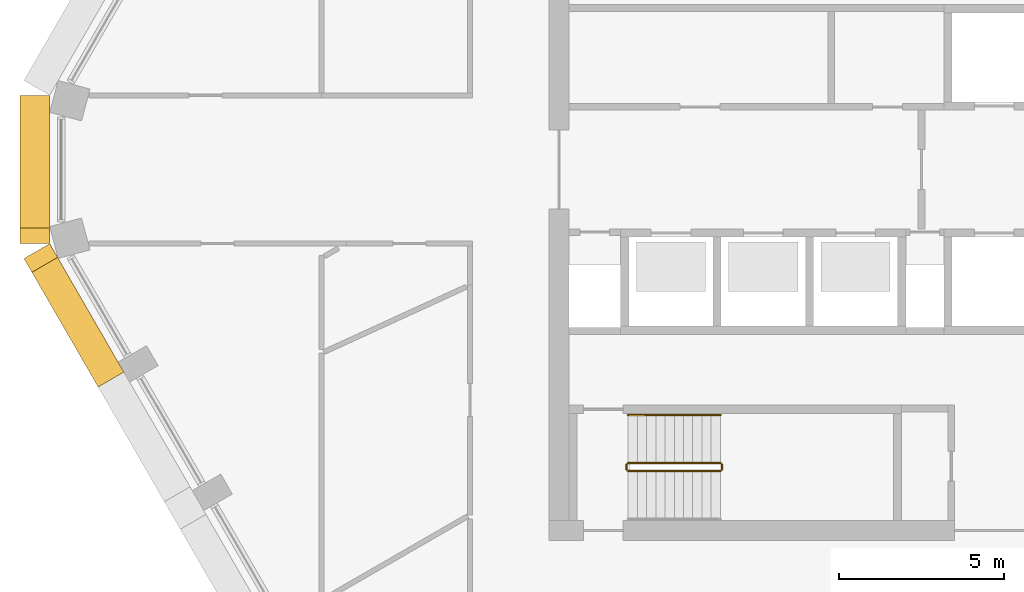
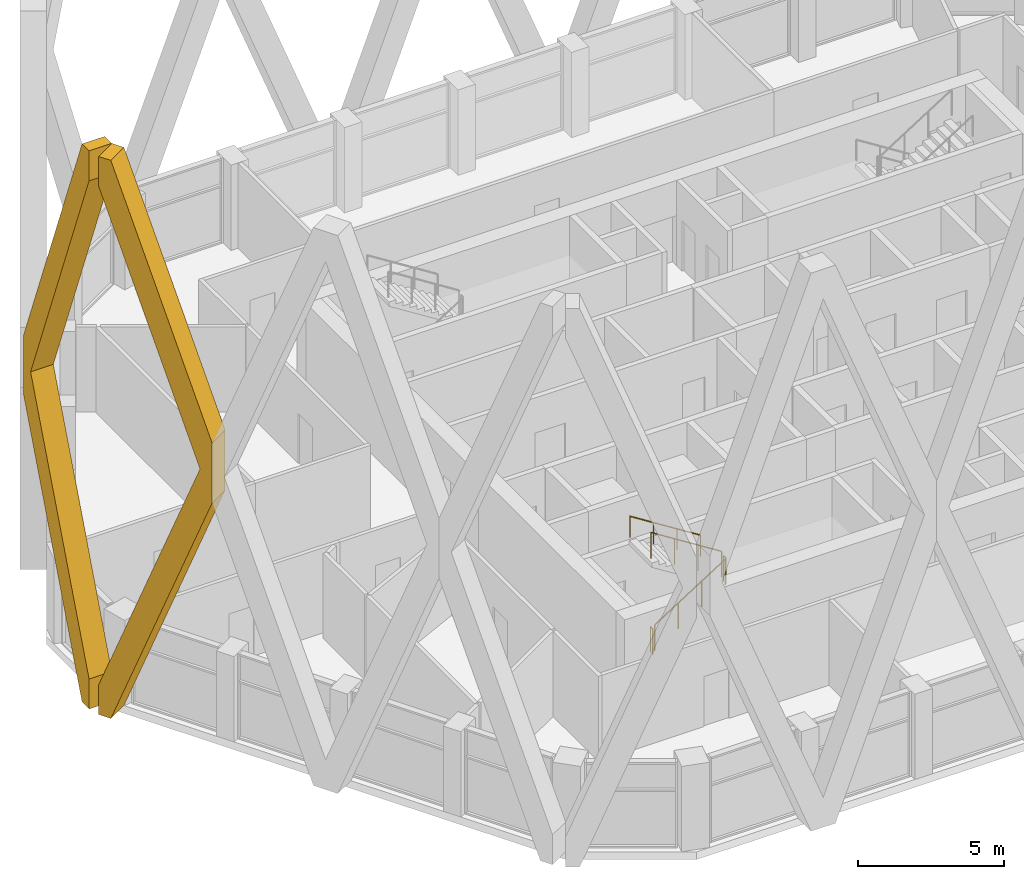
# One storey, part 14 of 20: 5 railings, 2 coverings.
"""IFC4 building model written with IfcOpenShell, lengths in metres."""

from ifc_helpers import new_model, si_unit, direction, frame, origin, origin_2d, place, context, subcontext, project, spatial, polyline, circle, outline, extrude, material, type_object, element, save


model = new_model("IFC4")

# Units and contexts
model_context = context("Model", 3, precision=1e-05, world=origin(), true_north=direction((0.0, 1.0)))
body_context = subcontext(model_context, "Body", "Model", "MODEL_VIEW")
ifc_project = project(units=[si_unit("LENGTHUNIT", "METRE"), si_unit("AREAUNIT", "SQUARE_METRE"), si_unit("VOLUMEUNIT", "CUBIC_METRE"), si_unit("PLANEANGLEUNIT", "RADIAN"), si_unit("MASSUNIT", "GRAM", prefix="KILO")], contexts=[model_context])

# Site, building, storey
site_placement = place(None, origin())
site = spatial("IfcSite", under=ifc_project, at=site_placement, CompositionType="ELEMENT")
building_placement = place(site_placement, origin())
building = spatial("IfcBuilding", under=site, at=building_placement, Name="Dhurran Vertical Campus", CompositionType="ELEMENT")
storey_placement = place(building_placement, frame((0.0, 0.0, 235.199951171875)))
storey = spatial("IfcBuildingStorey", under=building, at=storey_placement, Name="L58", CompositionType="ELEMENT", Elevation=235.199951171875)

# Coverings
ifc_material_1 = material(Name="Precast concrete C50/60", Category="concrete")
covering_type = type_object("IfcCoveringType", Name="Folded precast fin lattice diamond", PredefinedType="USERDEFINED", material=ifc_material_1)
covering_1_placement = place(storey_placement, frame((-28.647216796875, 2.25, 0.0), z_axis=(-1.0, 0.0, 0.0), x_axis=(0.0, -1.0, 0.0)))
element("IfcCovering", 1, at=covering_1_placement, inside=storey, type_object=covering_type, Name="FN1 L58.020", ObjectType="FIN", PredefinedType="USERDEFINED", context=body_context, shape_type="SweptSolid", body=[
    extrude(outline(polyline([(4.017822265625, 0.0), (0.0, 10.4462890625), (0.0, 12.95361328125), (4.017822265625, 23.39990234375), (4.5, 23.39990234375), (4.5, 22.146484375), (0.482177734375, 11.699951171875), (4.5, 1.253662109375), (4.5, 0.0), (4.017822265625, 0.0)])), origin(), (0.0, 0.0, 1.0), 0.89990234375),
])
covering_2_placement = place(storey_placement, frame((-28.647216796875, -2.25, 0.0), z_axis=(-0.866013897511, -0.50001992892, 0.0), x_axis=(0.50001992892, -0.866013897511, 0.0)))
element("IfcCovering", 2, at=covering_2_placement, inside=storey, type_object=covering_type, Name="FN1 L58.021", ObjectType="FIN", PredefinedType="USERDEFINED", context=body_context, shape_type="SweptSolid", body=[
    extrude(outline(polyline([(4.5, 10.4462890625), (0.482177734375, 0.0), (0.0, 0.0), (0.0, 1.253662109375), (4.017822265625, 11.699951171875), (0.0, 22.146484375), (0.0, 23.39990234375), (0.482177734375, 23.39990234375), (4.5, 12.95361328125), (4.5, 10.4462890625)])), origin(), (0.0, 0.0, 1.0), 0.89990234375),
])

# Railings
ifc_material_2 = material(Name="Stainless steel balustrade", Category="steel")
railing_type_1 = type_object("IfcRailingType", Name="co-RL-GUARD-1100", PredefinedType="GUARDRAIL", material=ifc_material_2)
railing_1_placement = place(storey_placement, frame((-11.10009765625, -9.14990234375, 0.17724609375)))
element("IfcRailing", 3, at=railing_1_placement, inside=storey, type_object=railing_type_1, Name="L58 ST3 stair guard 1", PredefinedType="GUARDRAIL", context=body_context, shape_type="SweptSolid", body=[
    extrude(circle(Radius=0.02392578125, at=origin_2d()), frame((0.0, 0.0, 1.076171875), z_axis=(0.844908973607, 0.0, 0.534910110503), x_axis=(0.0, 1.0, 0.0)), (0.0, 0.0, 1.0), 3.31396484375),
    extrude(circle(Radius=0.02099609375, at=origin_2d()), origin(), (0.0, 0.0, 1.0), 1.052001953125),
    extrude(circle(Radius=0.02099609375, at=origin_2d()), frame((0.933349609375, 0.0, 0.5908203125)), (0.0, 0.0, 1.0), 1.052001953125),
    extrude(circle(Radius=0.02099609375, at=origin_2d()), frame((1.86669921875, 0.0, 1.181884765625)), (0.0, 0.0, 1.0), 1.052001953125),
    extrude(circle(Radius=0.02099609375, at=origin_2d()), frame((2.800048828125, 0.0, 1.772705078125)), (0.0, 0.0, 1.0), 1.052001953125),
])
railing_2_placement = place(storey_placement, frame((-8.25, -9.10009765625, 1.949951171875)))
element("IfcRailing", 4, at=railing_2_placement, inside=storey, type_object=railing_type_1, Name="L58 ST3 stair guard 2", PredefinedType="GUARDRAIL", context=body_context, shape_type="SweptSolid", body=[
    extrude(circle(Radius=0.02392578125, at=origin_2d()), frame((0.0, 0.0, 1.076171875), z_axis=(0.0, 1.0, 0.0), x_axis=(-1.0, 0.0, 0.0)), (0.0, 0.0, 1.0), 0.150146484375),
    extrude(circle(Radius=0.02099609375, at=origin_2d()), origin(), (0.0, 0.0, 1.0), 1.052001953125),
    extrude(circle(Radius=0.02099609375, at=origin_2d()), frame((0.0, 0.150146484375, 0.0)), (0.0, 0.0, 1.0), 1.052001953125),
])
railing_3_placement = place(storey_placement, frame((-8.300048828125, -8.89990234375, 2.12744140625)))
element("IfcRailing", 5, at=railing_3_placement, inside=storey, type_object=railing_type_1, Name="L58 ST3 stair guard 3", PredefinedType="GUARDRAIL", context=body_context, shape_type="SweptSolid", body=[
    extrude(circle(Radius=0.02392578125, at=origin_2d()), frame((0.0, 0.0, 1.076171875), z_axis=(-0.844908973607, 0.0, 0.534910110503), x_axis=(0.0, -1.0, 0.0)), (0.0, 0.0, 1.0), 3.31396484375),
    extrude(circle(Radius=0.02099609375, at=origin_2d()), origin(), (0.0, 0.0, 1.0), 1.052001953125),
    extrude(circle(Radius=0.02099609375, at=origin_2d()), frame((-0.933349609375, 0.0, 0.5908203125)), (0.0, 0.0, 1.0), 1.052001953125),
    extrude(circle(Radius=0.02099609375, at=origin_2d()), frame((-1.86669921875, 0.0, 1.181884765625)), (0.0, 0.0, 1.0), 1.052001953125),
    extrude(circle(Radius=0.02099609375, at=origin_2d()), frame((-2.800048828125, 0.0, 1.772705078125)), (0.0, 0.0, 1.0), 1.052001953125),
])
railing_4_placement = place(storey_placement, frame((-11.14990234375, -9.10009765625, 0.0)))
element("IfcRailing", 6, at=railing_4_placement, inside=storey, type_object=railing_type_1, Name="L58 ST3 stair guard 4", PredefinedType="GUARDRAIL", context=body_context, shape_type="SweptSolid", body=[
    extrude(circle(Radius=0.02392578125, at=origin_2d()), frame((0.0, 0.0, 1.076171875), z_axis=(0.0, 1.0, 0.0), x_axis=(-1.0, 0.0, 0.0)), (0.0, 0.0, 1.0), 0.150146484375),
    extrude(circle(Radius=0.02099609375, at=origin_2d()), origin(), (0.0, 0.0, 1.0), 1.052001953125),
    extrude(circle(Radius=0.02099609375, at=origin_2d()), frame((0.0, 0.150146484375, 0.0)), (0.0, 0.0, 1.0), 1.052001953125),
])
ifc_material_3 = material(Name="Stainless steel handrail", Category="steel")
railing_type_2 = type_object("IfcRailingType", Name="co-RL-HANDRAIL-900", PredefinedType="HANDRAIL", material=ifc_material_3)
railing_5_placement = place(storey_placement, frame((-8.300048828125, -7.449951171875, 2.12744140625)))
element("IfcRailing", 7, at=railing_5_placement, inside=storey, type_object=railing_type_2, Name="L58 ST3 stair handrail 2", PredefinedType="HANDRAIL", context=body_context, shape_type="SweptSolid", body=[
    extrude(circle(Radius=0.02392578125, at=origin_2d()), frame((0.0, 0.0, 0.8759765625), z_axis=(-0.844908973607, 0.0, 0.534910110503), x_axis=(0.0, -1.0, 0.0)), (0.0, 0.0, 1.0), 3.31396484375),
    extrude(circle(Radius=0.02099609375, at=origin_2d()), origin(), (0.0, 0.0, 1.0), 0.851806640625),
    extrude(circle(Radius=0.02099609375, at=origin_2d()), frame((-0.933349609375, 0.0, 0.5908203125)), (0.0, 0.0, 1.0), 0.851806640625),
    extrude(circle(Radius=0.02099609375, at=origin_2d()), frame((-1.86669921875, 0.0, 1.181884765625)), (0.0, 0.0, 1.0), 0.851806640625),
    extrude(circle(Radius=0.02099609375, at=origin_2d()), frame((-2.800048828125, 0.0, 1.772705078125)), (0.0, 0.0, 1.0), 0.851806640625),
])

save(model, "model.ifc")
